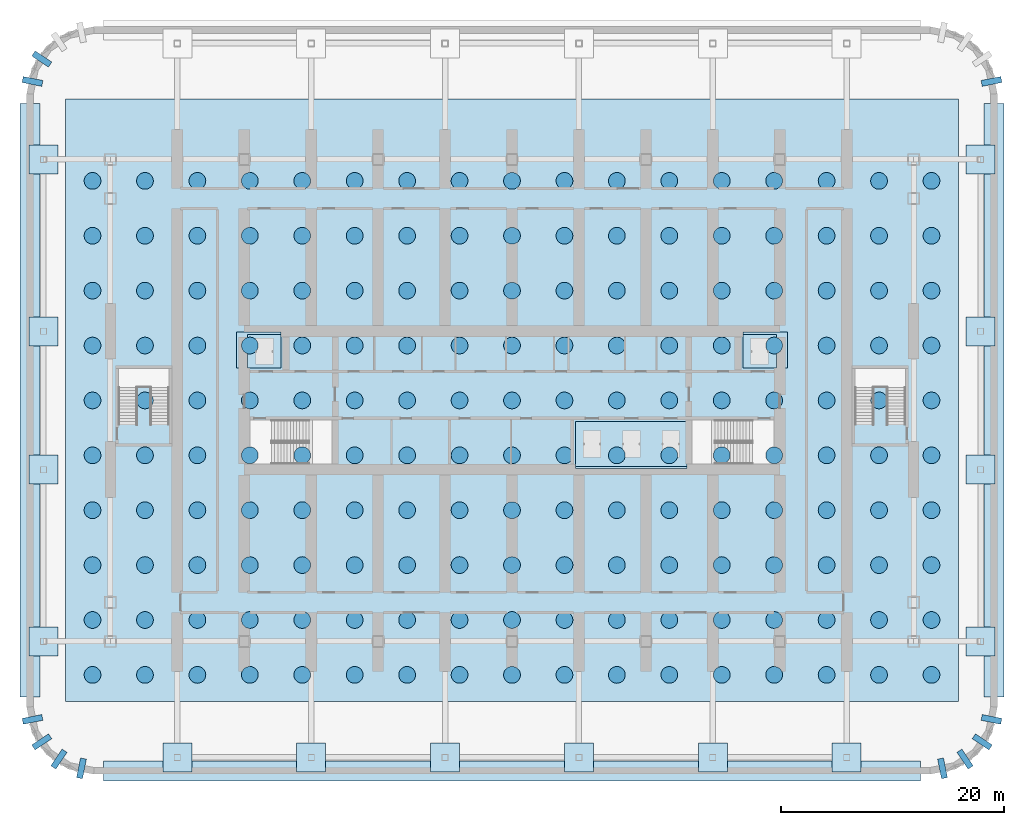
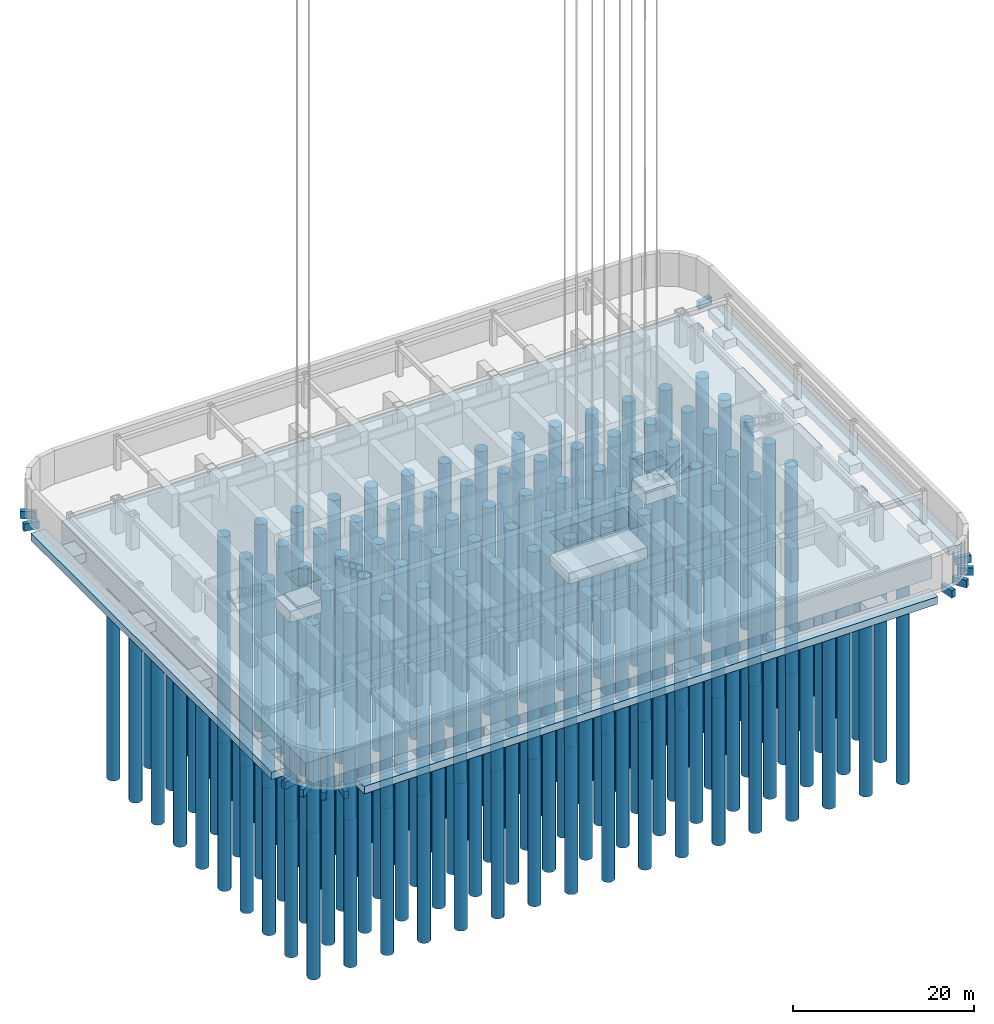
# One storey, part 1 of 28: 170 piles, 35 footings.
"""IFC4 building model written with IfcOpenShell, lengths in metres."""

from ifc_helpers import new_model, si_unit, direction, frame, origin, origin_2d, place, context, subcontext, project, spatial, polyline, rectangle, circle, outline, extrude, material, layer, layer_set, material_profile, profile_set, type_object, element, save


model = new_model("IFC4")

# Units and contexts
model_context = context("Model", 3, precision=1e-05, world=origin(), true_north=direction((0.0, 1.0)))
body_context = subcontext(model_context, "Body", "Model", "MODEL_VIEW")
ifc_project = project(units=[si_unit("LENGTHUNIT", "METRE"), si_unit("AREAUNIT", "SQUARE_METRE"), si_unit("VOLUMEUNIT", "CUBIC_METRE"), si_unit("PLANEANGLEUNIT", "RADIAN"), si_unit("MASSUNIT", "GRAM", prefix="KILO")], contexts=[model_context])

# Site, building, storey
site_placement = place(None, origin())
site = spatial("IfcSite", under=ifc_project, at=site_placement, CompositionType="ELEMENT")
building_placement = place(site_placement, origin())
building = spatial("IfcBuilding", under=site, at=building_placement, Name="Orbita Commons", CompositionType="ELEMENT")
storey_placement = place(building_placement, frame((0.0, 0.0, -9.0)))
storey = spatial("IfcBuildingStorey", under=building, at=storey_placement, Name="L-02", CompositionType="ELEMENT", Elevation=-9.0)

# Piles
ifc_material_1 = material(Name="Concrete C40/50", Category="concrete")
ifc_material_profile = material_profile(ifc_material_1, circle(Radius=0.75, at=origin_2d()), Name="RC D1500")
ifc_profile_set = profile_set([ifc_material_profile], Name="Concrete C40/50")
pile_type = type_object("IfcPileType", Name="Bored pile D1500", PredefinedType="BORED", material=ifc_profile_set)
for number, where, z_axis, x_axis, name in (
    (1, (4.39990234375, 7.39990234375, -3.5), (0.0, 0.0, -1.0), (1.0, 0.0, 0.0), "Pile P0101"),
    (2, (9.10009765625, 7.39990234375, -3.5), (0.0, 0.0, -1.0), (1.0, 0.0, 0.0), "Pile P0102"),
    (3, (13.800048828125, 7.39990234375, -3.5), (0.0, 0.0, -1.0), (1.0, 0.0, 0.0), "Pile P0103"),
    (4, (18.5, 7.39990234375, -3.5), (0.0, 0.0, -1.0), (1.0, 0.0, 0.0), "Pile P0104"),
    (5, (23.199951171875, 7.39990234375, -3.5), (0.0, 0.0, -1.0), (1.0, 0.0, 0.0), "Pile P0105"),
    (6, (27.89990234375, 7.39990234375, -3.5), (0.0, 0.0, -1.0), (1.0, 0.0, 0.0), "Pile P0106"),
    (7, (32.60009765625, 7.39990234375, -3.5), (0.0, 0.0, -1.0), (1.0, 0.0, 0.0), "Pile P0107"),
    (8, (37.300048828125, 7.39990234375, -3.5), (0.0, 0.0, -1.0), (1.0, 0.0, 0.0), "Pile P0108"),
    (9, (42.0, 7.39990234375, -3.5), (0.0, 0.0, -1.0), (1.0, 0.0, 0.0), "Pile P0109"),
    (10, (46.699951171875, 7.39990234375, -3.5), (0.0, 0.0, -1.0), (1.0, 0.0, 0.0), "Pile P0110"),
    (11, (51.39990234375, 7.39990234375, -3.5), (0.0, 0.0, -1.0), (1.0, 0.0, 0.0), "Pile P0111"),
    (12, (56.10009765625, 7.39990234375, -3.5), (0.0, 0.0, -1.0), (1.0, 0.0, 0.0), "Pile P0112"),
    (13, (60.800048828125, 7.39990234375, -3.5), (0.0, 0.0, -1.0), (1.0, 0.0, 0.0), "Pile P0113"),
    (14, (65.5, 7.39990234375, -3.5), (0.0, 0.0, -1.0), (1.0, 0.0, 0.0), "Pile P0114"),
    (15, (70.199951171875, 7.39990234375, -3.5), (0.0, 0.0, -1.0), (1.0, 0.0, 0.0), "Pile P0115"),
    (16, (74.89990234375, 7.39990234375, -3.5), (0.0, 0.0, -1.0), (1.0, 0.0, 0.0), "Pile P0116"),
    (17, (79.60009765625, 7.39990234375, -3.5), (0.0, 0.0, -1.0), (1.0, 0.0, 0.0), "Pile P0117"),
    (18, (4.39990234375, 12.320068359375, -3.5), (0.0, 0.0, -1.0), (1.0, 0.0, 0.0), "Pile P0201"),
    (19, (9.10009765625, 12.320068359375, -3.5), (0.0, 0.0, -1.0), (1.0, 0.0, 0.0), "Pile P0202"),
    (20, (13.800048828125, 12.320068359375, -3.5), (0.0, 0.0, -1.0), (1.0, 0.0, 0.0), "Pile P0203"),
    (21, (18.5, 12.320068359375, -3.5), (0.0, 0.0, -1.0), (1.0, 0.0, 0.0), "Pile P0204"),
    (22, (23.199951171875, 12.320068359375, -3.5), (0.0, 0.0, -1.0), (1.0, 0.0, 0.0), "Pile P0205"),
    (23, (27.89990234375, 12.320068359375, -3.5), (0.0, 0.0, -1.0), (1.0, 0.0, 0.0), "Pile P0206"),
    (24, (32.60009765625, 12.320068359375, -3.5), (0.0, 0.0, -1.0), (1.0, 0.0, 0.0), "Pile P0207"),
    (25, (37.300048828125, 12.320068359375, -3.5), (0.0, 0.0, -1.0), (1.0, 0.0, 0.0), "Pile P0208"),
    (26, (42.0, 12.320068359375, -3.5), (0.0, 0.0, -1.0), (1.0, 0.0, 0.0), "Pile P0209"),
    (27, (46.699951171875, 12.320068359375, -3.5), (0.0, 0.0, -1.0), (1.0, 0.0, 0.0), "Pile P0210"),
    (28, (51.39990234375, 12.320068359375, -3.5), (0.0, 0.0, -1.0), (1.0, 0.0, 0.0), "Pile P0211"),
    (29, (56.10009765625, 12.320068359375, -3.5), (0.0, 0.0, -1.0), (1.0, 0.0, 0.0), "Pile P0212"),
    (30, (60.800048828125, 12.320068359375, -3.5), (0.0, 0.0, -1.0), (1.0, 0.0, 0.0), "Pile P0213"),
    (31, (65.5, 12.320068359375, -3.5), (0.0, 0.0, -1.0), (1.0, 0.0, 0.0), "Pile P0214"),
    (32, (70.199951171875, 12.320068359375, -3.5), (0.0, 0.0, -1.0), (1.0, 0.0, 0.0), "Pile P0215"),
    (33, (74.89990234375, 12.320068359375, -3.5), (0.0, 0.0, -1.0), (1.0, 0.0, 0.0), "Pile P0216"),
    (34, (79.60009765625, 12.320068359375, -3.5), (0.0, 0.0, -1.0), (1.0, 0.0, 0.0), "Pile P0217"),
    (35, (4.39990234375, 17.239990234375, -3.5), (0.0, 0.0, -1.0), (1.0, 0.0, 0.0), "Pile P0301"),
    (36, (9.10009765625, 17.239990234375, -3.5), (0.0, 0.0, -1.0), (1.0, 0.0, 0.0), "Pile P0302"),
    (37, (13.800048828125, 17.239990234375, -3.5), (0.0, 0.0, -1.0), (1.0, 0.0, 0.0), "Pile P0303"),
    (38, (18.5, 17.239990234375, -3.5), (0.0, 0.0, -1.0), (1.0, 0.0, 0.0), "Pile P0304"),
    (39, (23.199951171875, 17.239990234375, -3.5), (0.0, 0.0, -1.0), (1.0, 0.0, 0.0), "Pile P0305"),
    (40, (27.89990234375, 17.239990234375, -3.5), (0.0, 0.0, -1.0), (1.0, 0.0, 0.0), "Pile P0306"),
    (41, (32.60009765625, 17.239990234375, -3.5), (0.0, 0.0, -1.0), (1.0, 0.0, 0.0), "Pile P0307"),
    (42, (37.300048828125, 17.239990234375, -3.5), (0.0, 0.0, -1.0), (1.0, 0.0, 0.0), "Pile P0308"),
    (43, (42.0, 17.239990234375, -3.5), (0.0, 0.0, -1.0), (1.0, 0.0, 0.0), "Pile P0309"),
    (44, (46.699951171875, 17.239990234375, -3.5), (0.0, 0.0, -1.0), (1.0, 0.0, 0.0), "Pile P0310"),
    (45, (51.39990234375, 17.239990234375, -3.5), (0.0, 0.0, -1.0), (1.0, 0.0, 0.0), "Pile P0311"),
    (46, (56.10009765625, 17.239990234375, -3.5), (0.0, 0.0, -1.0), (1.0, 0.0, 0.0), "Pile P0312"),
    (47, (60.800048828125, 17.239990234375, -3.5), (0.0, 0.0, -1.0), (1.0, 0.0, 0.0), "Pile P0313"),
    (48, (65.5, 17.239990234375, -3.5), (0.0, 0.0, -1.0), (1.0, 0.0, 0.0), "Pile P0314"),
    (49, (70.199951171875, 17.239990234375, -3.5), (0.0, 0.0, -1.0), (1.0, 0.0, 0.0), "Pile P0315"),
    (50, (74.89990234375, 17.239990234375, -3.5), (0.0, 0.0, -1.0), (1.0, 0.0, 0.0), "Pile P0316"),
    (51, (79.60009765625, 17.239990234375, -3.5), (0.0, 0.0, -1.0), (1.0, 0.0, 0.0), "Pile P0317"),
    (52, (4.39990234375, 22.159912109375, -3.5), (0.0, 0.0, -1.0), (1.0, 0.0, 0.0), "Pile P0401"),
    (53, (9.10009765625, 22.159912109375, -3.5), (0.0, 0.0, -1.0), (1.0, 0.0, 0.0), "Pile P0402"),
    (54, (13.800048828125, 22.159912109375, -3.5), (0.0, 0.0, -1.0), (1.0, 0.0, 0.0), "Pile P0403"),
    (55, (18.5, 22.159912109375, -3.5), (0.0, 0.0, -1.0), (1.0, 0.0, 0.0), "Pile P0404"),
    (56, (23.199951171875, 22.159912109375, -3.5), (0.0, 0.0, -1.0), (1.0, 0.0, 0.0), "Pile P0405"),
    (57, (27.89990234375, 22.159912109375, -3.5), (0.0, 0.0, -1.0), (1.0, 0.0, 0.0), "Pile P0406"),
    (58, (32.60009765625, 22.159912109375, -3.5), (0.0, 0.0, -1.0), (1.0, 0.0, 0.0), "Pile P0407"),
    (59, (37.300048828125, 22.159912109375, -3.5), (0.0, 0.0, -1.0), (1.0, 0.0, 0.0), "Pile P0408"),
    (60, (42.0, 22.159912109375, -3.5), (0.0, 0.0, -1.0), (1.0, 0.0, 0.0), "Pile P0409"),
    (61, (46.699951171875, 22.159912109375, -3.5), (0.0, 0.0, -1.0), (1.0, 0.0, 0.0), "Pile P0410"),
    (62, (51.39990234375, 22.159912109375, -3.5), (0.0, 0.0, -1.0), (1.0, 0.0, 0.0), "Pile P0411"),
    (63, (56.10009765625, 22.159912109375, -3.5), (0.0, 0.0, -1.0), (1.0, 0.0, 0.0), "Pile P0412"),
    (64, (60.800048828125, 22.159912109375, -3.5), (0.0, 0.0, -1.0), (1.0, 0.0, 0.0), "Pile P0413"),
    (65, (65.5, 22.159912109375, -3.5), (0.0, 0.0, -1.0), (1.0, 0.0, 0.0), "Pile P0414"),
    (66, (70.199951171875, 22.159912109375, -3.5), (0.0, 0.0, -1.0), (1.0, 0.0, 0.0), "Pile P0415"),
    (67, (74.89990234375, 22.159912109375, -3.5), (0.0, 0.0, -1.0), (1.0, 0.0, 0.0), "Pile P0416"),
    (68, (79.60009765625, 22.159912109375, -3.5), (0.0, 0.0, -1.0), (1.0, 0.0, 0.0), "Pile P0417"),
    (69, (4.39990234375, 27.080078125, -3.5), (0.0, 0.0, -1.0), (1.0, 0.0, 0.0), "Pile P0501"),
    (70, (9.10009765625, 27.080078125, -3.5), (0.0, 0.0, -1.0), (1.0, 0.0, 0.0), "Pile P0502"),
    (71, (13.800048828125, 27.080078125, -3.5), (0.0, 0.0, -1.0), (1.0, 0.0, 0.0), "Pile P0503"),
    (72, (18.5, 27.080078125, -3.5), (0.0, 0.0, -1.0), (1.0, 0.0, 0.0), "Pile P0504"),
    (73, (23.199951171875, 27.080078125, -3.5), (0.0, 0.0, -1.0), (1.0, 0.0, 0.0), "Pile P0505"),
    (74, (27.89990234375, 27.080078125, -3.5), (0.0, 0.0, -1.0), (1.0, 0.0, 0.0), "Pile P0506"),
    (75, (32.60009765625, 27.080078125, -3.5), (0.0, 0.0, -1.0), (1.0, 0.0, 0.0), "Pile P0507"),
    (76, (37.300048828125, 27.080078125, -3.5), (0.0, 0.0, -1.0), (1.0, 0.0, 0.0), "Pile P0508"),
    (77, (42.0, 27.080078125, -3.5), (0.0, 0.0, -1.0), (1.0, 0.0, 0.0), "Pile P0509"),
    (78, (46.699951171875, 27.080078125, -3.5), (0.0, 0.0, -1.0), (1.0, 0.0, 0.0), "Pile P0510"),
    (79, (51.39990234375, 27.080078125, -5.0), (0.0, 0.0, -1.0), (1.0, 0.0, 0.0), "Pile P0511"),
    (80, (56.10009765625, 27.080078125, -5.0), (0.0, 0.0, -1.0), (1.0, 0.0, 0.0), "Pile P0512"),
    (81, (60.800048828125, 27.080078125, -3.5), (0.0, 0.0, -1.0), (1.0, 0.0, 0.0), "Pile P0513"),
    (82, (65.5, 27.080078125, -3.5), (0.0, 0.0, -1.0), (1.0, 0.0, 0.0), "Pile P0514"),
    (83, (70.199951171875, 27.080078125, -3.5), (0.0, 0.0, -1.0), (1.0, 0.0, 0.0), "Pile P0515"),
    (84, (74.89990234375, 27.080078125, -3.5), (0.0, 0.0, -1.0), (1.0, 0.0, 0.0), "Pile P0516"),
    (85, (79.60009765625, 27.080078125, -3.5), (0.0, 0.0, -1.0), (1.0, 0.0, 0.0), "Pile P0517"),
    (86, (4.39990234375, 32.0, -3.5), (0.0, 0.0, -1.0), (1.0, 0.0, 0.0), "Pile P0601"),
    (87, (9.10009765625, 32.0, -3.5), (0.0, 0.0, -1.0), (1.0, 0.0, 0.0), "Pile P0602"),
    (88, (13.800048828125, 32.0, -3.5), (0.0, 0.0, -1.0), (1.0, 0.0, 0.0), "Pile P0603"),
    (89, (18.5, 32.0, -3.5), (0.0, 0.0, -1.0), (1.0, 0.0, 0.0), "Pile P0604"),
    (90, (23.199951171875, 32.0, -3.5), (0.0, 0.0, -1.0), (1.0, 0.0, 0.0), "Pile P0605"),
    (91, (27.89990234375, 32.0, -3.5), (0.0, 0.0, -1.0), (1.0, 0.0, 0.0), "Pile P0606"),
    (92, (32.60009765625, 32.0, -3.5), (0.0, 0.0, -1.0), (1.0, 0.0, 0.0), "Pile P0607"),
    (93, (37.300048828125, 32.0, -3.5), (0.0, 0.0, -1.0), (1.0, 0.0, 0.0), "Pile P0608"),
    (94, (42.0, 32.0, -3.5), (0.0, 0.0, -1.0), (1.0, 0.0, 0.0), "Pile P0609"),
    (95, (46.699951171875, 32.0, -3.5), (0.0, 0.0, -1.0), (1.0, 0.0, 0.0), "Pile P0610"),
    (96, (51.39990234375, 32.0, -3.5), (0.0, 0.0, -1.0), (1.0, 0.0, 0.0), "Pile P0611"),
    (97, (56.10009765625, 32.0, -3.5), (0.0, 0.0, -1.0), (1.0, 0.0, 0.0), "Pile P0612"),
    (98, (60.800048828125, 32.0, -3.5), (0.0, 0.0, -1.0), (1.0, 0.0, 0.0), "Pile P0613"),
    (99, (65.5, 32.0, -3.5), (0.0, 0.0, -1.0), (1.0, 0.0, 0.0), "Pile P0614"),
    (100, (70.199951171875, 32.0, -3.5), (0.0, 0.0, -1.0), (1.0, 0.0, 0.0), "Pile P0615"),
    (101, (74.89990234375, 32.0, -3.5), (0.0, 0.0, -1.0), (1.0, 0.0, 0.0), "Pile P0616"),
    (102, (79.60009765625, 32.0, -3.5), (0.0, 0.0, -1.0), (1.0, 0.0, 0.0), "Pile P0617"),
    (103, (4.39990234375, 36.919921875, -3.5), (0.0, 0.0, -1.0), (1.0, 0.0, 0.0), "Pile P0701"),
    (104, (9.10009765625, 36.919921875, -3.5), (0.0, 0.0, -1.0), (1.0, 0.0, 0.0), "Pile P0702"),
    (105, (13.800048828125, 36.919921875, -3.5), (0.0, 0.0, -1.0), (1.0, 0.0, 0.0), "Pile P0703"),
    (106, (18.5, 36.919921875, -5.0), (0.0, 0.0, -1.0), (1.0, 0.0, 0.0), "Pile P0704"),
    (107, (23.199951171875, 36.919921875, -3.5), (0.0, 0.0, -1.0), (1.0, 0.0, 0.0), "Pile P0705"),
    (108, (27.89990234375, 36.919921875, -3.5), (0.0, 0.0, -1.0), (1.0, 0.0, 0.0), "Pile P0706"),
    (109, (32.60009765625, 36.919921875, -3.5), (0.0, 0.0, -1.0), (1.0, 0.0, 0.0), "Pile P0707"),
    (110, (37.300048828125, 36.919921875, -3.5), (0.0, 0.0, -1.0), (1.0, 0.0, 0.0), "Pile P0708"),
    (111, (42.0, 36.919921875, -3.5), (0.0, 0.0, -1.0), (1.0, 0.0, 0.0), "Pile P0709"),
    (112, (46.699951171875, 36.919921875, -3.5), (0.0, 0.0, -1.0), (1.0, 0.0, 0.0), "Pile P0710"),
    (113, (51.39990234375, 36.919921875, -3.5), (0.0, 0.0, -1.0), (1.0, 0.0, 0.0), "Pile P0711"),
    (114, (56.10009765625, 36.919921875, -3.5), (0.0, 0.0, -1.0), (1.0, 0.0, 0.0), "Pile P0712"),
    (115, (60.800048828125, 36.919921875, -3.5), (0.0, 0.0, -1.0), (1.0, 0.0, 0.0), "Pile P0713"),
    (116, (65.5, 36.919921875, -5.0), (0.0, 0.0, -1.0), (1.0, 0.0, 0.0), "Pile P0714"),
    (117, (70.199951171875, 36.919921875, -3.5), (0.0, 0.0, -1.0), (1.0, 0.0, 0.0), "Pile P0715"),
    (118, (74.89990234375, 36.919921875, -3.5), (0.0, 0.0, -1.0), (1.0, 0.0, 0.0), "Pile P0716"),
    (119, (79.60009765625, 36.919921875, -3.5), (0.0, 0.0, -1.0), (1.0, 0.0, 0.0), "Pile P0717"),
    (120, (4.39990234375, 41.840087890625, -3.5), (0.0, 0.0, -1.0), (1.0, 0.0, 0.0), "Pile P0801"),
    (121, (9.10009765625, 41.840087890625, -3.5), (0.0, 0.0, -1.0), (1.0, 0.0, 0.0), "Pile P0802"),
    (122, (13.800048828125, 41.840087890625, -3.5), (0.0, 0.0, -1.0), (1.0, 0.0, 0.0), "Pile P0803"),
    (123, (18.5, 41.840087890625, -3.5), (0.0, 0.0, -1.0), (1.0, 0.0, 0.0), "Pile P0804"),
    (124, (23.199951171875, 41.840087890625, -3.5), (0.0, 0.0, -1.0), (1.0, 0.0, 0.0), "Pile P0805"),
    (125, (27.89990234375, 41.840087890625, -3.5), (0.0, 0.0, -1.0), (1.0, 0.0, 0.0), "Pile P0806"),
    (126, (32.60009765625, 41.840087890625, -3.5), (0.0, 0.0, -1.0), (1.0, 0.0, 0.0), "Pile P0807"),
    (127, (37.300048828125, 41.840087890625, -3.5), (0.0, 0.0, -1.0), (1.0, 0.0, 0.0), "Pile P0808"),
    (128, (42.0, 41.840087890625, -3.5), (0.0, 0.0, -1.0), (1.0, 0.0, 0.0), "Pile P0809"),
    (129, (46.699951171875, 41.840087890625, -3.5), (0.0, 0.0, -1.0), (1.0, 0.0, 0.0), "Pile P0810"),
    (130, (51.39990234375, 41.840087890625, -3.5), (0.0, 0.0, -1.0), (1.0, 0.0, 0.0), "Pile P0811"),
    (131, (56.10009765625, 41.840087890625, -3.5), (0.0, 0.0, -1.0), (1.0, 0.0, 0.0), "Pile P0812"),
    (132, (60.800048828125, 41.840087890625, -3.5), (0.0, 0.0, -1.0), (1.0, 0.0, 0.0), "Pile P0813"),
    (133, (65.5, 41.840087890625, -3.5), (0.0, 0.0, -1.0), (1.0, 0.0, 0.0), "Pile P0814"),
    (134, (70.199951171875, 41.840087890625, -3.5), (0.0, 0.0, -1.0), (1.0, 0.0, 0.0), "Pile P0815"),
    (135, (74.89990234375, 41.840087890625, -3.5), (0.0, 0.0, -1.0), (1.0, 0.0, 0.0), "Pile P0816"),
    (136, (79.60009765625, 41.840087890625, -3.5), (0.0, 0.0, -1.0), (1.0, 0.0, 0.0), "Pile P0817"),
    (137, (4.39990234375, 46.760009765625, -3.5), (0.0, 0.0, -1.0), (1.0, 0.0, 0.0), "Pile P0901"),
    (138, (9.10009765625, 46.760009765625, -3.5), (0.0, 0.0, -1.0), (1.0, 0.0, 0.0), "Pile P0902"),
    (139, (13.800048828125, 46.760009765625, -3.5), (0.0, 0.0, -1.0), (1.0, 0.0, 0.0), "Pile P0903"),
    (140, (18.5, 46.760009765625, -3.5), (0.0, 0.0, -1.0), (1.0, 0.0, 0.0), "Pile P0904"),
    (141, (23.199951171875, 46.760009765625, -3.5), (0.0, 0.0, -1.0), (1.0, 0.0, 0.0), "Pile P0905"),
    (142, (27.89990234375, 46.760009765625, -3.5), (0.0, 0.0, -1.0), (1.0, 0.0, 0.0), "Pile P0906"),
    (143, (32.60009765625, 46.760009765625, -3.5), (0.0, 0.0, -1.0), (1.0, 0.0, 0.0), "Pile P0907"),
    (144, (37.300048828125, 46.760009765625, -3.5), (0.0, 0.0, -1.0), (1.0, 0.0, 0.0), "Pile P0908"),
    (145, (42.0, 46.760009765625, -3.5), (0.0, 0.0, -1.0), (1.0, 0.0, 0.0), "Pile P0909"),
    (146, (46.699951171875, 46.760009765625, -3.5), (0.0, 0.0, -1.0), (1.0, 0.0, 0.0), "Pile P0910"),
    (147, (51.39990234375, 46.760009765625, -3.5), (0.0, 0.0, -1.0), (1.0, 0.0, 0.0), "Pile P0911"),
    (148, (56.10009765625, 46.760009765625, -3.5), (0.0, 0.0, -1.0), (1.0, 0.0, 0.0), "Pile P0912"),
    (149, (60.800048828125, 46.760009765625, -3.5), (0.0, 0.0, -1.0), (1.0, 0.0, 0.0), "Pile P0913"),
    (150, (65.5, 46.760009765625, -3.5), (0.0, 0.0, -1.0), (1.0, 0.0, 0.0), "Pile P0914"),
    (151, (70.199951171875, 46.760009765625, -3.5), (0.0, 0.0, -1.0), (1.0, 0.0, 0.0), "Pile P0915"),
    (152, (74.89990234375, 46.760009765625, -3.5), (0.0, 0.0, -1.0), (1.0, 0.0, 0.0), "Pile P0916"),
    (153, (79.60009765625, 46.760009765625, -3.5), (0.0, 0.0, -1.0), (1.0, 0.0, 0.0), "Pile P0917"),
    (154, (4.39990234375, 51.679931640625, -3.5), (0.0, 0.0, -1.0), (1.0, 0.0, 0.0), "Pile P1001"),
    (155, (9.10009765625, 51.679931640625, -3.5), (0.0, 0.0, -1.0), (1.0, 0.0, 0.0), "Pile P1002"),
    (156, (13.800048828125, 51.679931640625, -3.5), (0.0, 0.0, -1.0), (1.0, 0.0, 0.0), "Pile P1003"),
    (157, (18.5, 51.679931640625, -3.5), (0.0, 0.0, -1.0), (1.0, 0.0, 0.0), "Pile P1004"),
    (158, (23.199951171875, 51.679931640625, -3.5), (0.0, 0.0, -1.0), (1.0, 0.0, 0.0), "Pile P1005"),
    (159, (27.89990234375, 51.679931640625, -3.5), (0.0, 0.0, -1.0), (1.0, 0.0, 0.0), "Pile P1006"),
    (160, (32.60009765625, 51.679931640625, -3.5), (0.0, 0.0, -1.0), (1.0, 0.0, 0.0), "Pile P1007"),
    (161, (37.300048828125, 51.679931640625, -3.5), (0.0, 0.0, -1.0), (1.0, 0.0, 0.0), "Pile P1008"),
    (162, (42.0, 51.679931640625, -3.5), (0.0, 0.0, -1.0), (1.0, 0.0, 0.0), "Pile P1009"),
    (163, (46.699951171875, 51.679931640625, -3.5), (0.0, 0.0, -1.0), (1.0, 0.0, 0.0), "Pile P1010"),
    (164, (51.39990234375, 51.679931640625, -3.5), (0.0, 0.0, -1.0), (1.0, 0.0, 0.0), "Pile P1011"),
    (165, (56.10009765625, 51.679931640625, -3.5), (0.0, 0.0, -1.0), (1.0, 0.0, 0.0), "Pile P1012"),
    (166, (60.800048828125, 51.679931640625, -3.5), (0.0, 0.0, -1.0), (1.0, 0.0, 0.0), "Pile P1013"),
    (167, (65.5, 51.679931640625, -3.5), (0.0, 0.0, -1.0), (1.0, 0.0, 0.0), "Pile P1014"),
    (168, (70.199951171875, 51.679931640625, -3.5), (0.0, 0.0, -1.0), (1.0, 0.0, 0.0), "Pile P1015"),
    (169, (74.89990234375, 51.679931640625, -3.5), (0.0, 0.0, -1.0), (1.0, 0.0, 0.0), "Pile P1016"),
    (170, (79.60009765625, 51.679931640625, -3.5), (0.0, 0.0, -1.0), (1.0, 0.0, 0.0), "Pile P1017"),
):
    element("IfcPile", number, at=place(storey_placement, frame(where, z_axis=z_axis, x_axis=x_axis)), inside=storey, type_object=pile_type, Name=name, PredefinedType="BORED", context=body_context, shape_type="SweptSolid", body=[
        extrude(circle(Radius=0.75, at=origin_2d()), origin(), (0.0, 0.0, 1.0), 28.0),
    ])

# Footings
ifc_material_2 = material(Name="Concrete C40/50", Category="concrete")
ifc_layer_1 = layer(ifc_material_2, 0.300048828125)
ifc_layer_set_1 = layer_set([ifc_layer_1], Name="Concrete C40/50")
footing_type_1 = type_object("IfcFootingType", Name="Lift pit base 300", PredefinedType="PILE_CAP", material=ifc_layer_set_1)
footing_1_placement = place(storey_placement, frame((0.0, 0.0, -3.5)))
element("IfcFooting", 171, at=footing_1_placement, inside=storey, type_object=footing_type_1, Name="Lift pit base SV", PredefinedType="PILE_CAP", context=body_context, shape_type="SweptSolid", body=[
    extrude(outline(polyline([(47.699951171875, 26.10009765625), (57.699951171875, 26.10009765625), (57.699951171875, 30.10009765625), (47.699951171875, 30.10009765625), (47.699951171875, 26.10009765625)])), origin(), (0.0, 0.0, 1.0), 0.300048828125),
])
footing_2_placement = place(storey_placement, frame((0.0, 0.0, -3.5)))
element("IfcFooting", 172, at=footing_2_placement, inside=storey, type_object=footing_type_1, Name="Lift pit base FL1", PredefinedType="PILE_CAP", context=body_context, shape_type="SweptSolid", body=[
    extrude(outline(polyline([(18.300048828125, 34.89990234375), (21.300048828125, 34.89990234375), (21.300048828125, 37.89990234375), (18.300048828125, 37.89990234375), (18.300048828125, 34.89990234375)])), origin(), (0.0, 0.0, 1.0), 0.300048828125),
])
footing_3_placement = place(storey_placement, frame((0.0, 0.0, -3.5)))
element("IfcFooting", 173, at=footing_3_placement, inside=storey, type_object=footing_type_1, Name="Lift pit base FL2", PredefinedType="PILE_CAP", context=body_context, shape_type="SweptSolid", body=[
    extrude(outline(polyline([(62.699951171875, 34.89990234375), (65.699951171875, 34.89990234375), (65.699951171875, 37.89990234375), (62.699951171875, 37.89990234375), (62.699951171875, 34.89990234375)])), origin(), (0.0, 0.0, 1.0), 0.300048828125),
])
ifc_material_3 = material(Name="Concrete C40/50", Category="concrete")
footing_type_2 = type_object("IfcFootingType", Name="Pad footing 2600x2600x1200", PredefinedType="PAD_FOOTING", material=ifc_material_3)
for number, where, z_axis, x_axis, name in (
    (174, (12.0, 0.0, -1.7001953125), (0.0, 0.0, 1.0), (1.0, 0.0, 0.0), "Pad footing 2-3A"),
    (175, (24.0, 0.0, -1.7001953125), (0.0, 0.0, 1.0), (1.0, 0.0, 0.0), "Pad footing 2-5A"),
    (176, (36.0, 0.0, -1.7001953125), (0.0, 0.0, 1.0), (1.0, 0.0, 0.0), "Pad footing 2-7A"),
    (177, (48.0, 0.0, -1.7001953125), (0.0, 0.0, 1.0), (1.0, 0.0, 0.0), "Pad footing 2-9A"),
    (178, (60.0, 0.0, -1.7001953125), (0.0, 0.0, 1.0), (1.0, 0.0, 0.0), "Pad footing 2-11A"),
    (179, (72.0, 0.0, -1.7001953125), (0.0, 0.0, 1.0), (1.0, 0.0, 0.0), "Pad footing 2-13A"),
    (180, (0.0, 10.39990234375, -1.7001953125), (0.0, 0.0, 1.0), (1.0, 0.0, 0.0), "Pad footing 2-1B"),
    (181, (0.0, 25.800048828125, -1.7001953125), (0.0, 0.0, 1.0), (1.0, 0.0, 0.0), "Pad footing 2-1C"),
    (182, (0.0, 38.199951171875, -1.7001953125), (0.0, 0.0, 1.0), (1.0, 0.0, 0.0), "Pad footing 2-1D"),
    (183, (0.0, 53.60009765625, -1.7001953125), (0.0, 0.0, 1.0), (1.0, 0.0, 0.0), "Pad footing 2-1E"),
    (184, (84.0, 10.39990234375, -1.7001953125), (0.0, 0.0, 1.0), (1.0, 0.0, 0.0), "Pad footing 2-15B"),
    (185, (84.0, 25.800048828125, -1.7001953125), (0.0, 0.0, 1.0), (1.0, 0.0, 0.0), "Pad footing 2-15C"),
    (186, (84.0, 38.199951171875, -1.7001953125), (0.0, 0.0, 1.0), (1.0, 0.0, 0.0), "Pad footing 2-15D"),
    (187, (84.0, 53.60009765625, -1.7001953125), (0.0, 0.0, 1.0), (1.0, 0.0, 0.0), "Pad footing 2-15E"),
):
    element("IfcFooting", number, at=place(storey_placement, frame(where, z_axis=z_axis, x_axis=x_axis)), inside=storey, type_object=footing_type_2, Name=name, PredefinedType="PAD_FOOTING", context=body_context, shape_type="SweptSolid", body=[
        extrude(rectangle(XDim=2.60009765625, YDim=2.60009765625, at=origin_2d()), origin(), (0.0, 0.0, 1.0), 1.199951171875),
    ])
ifc_material_4 = material(Name="Concrete C40/50", Category="concrete")
ifc_layer_2 = layer(ifc_material_4, 3.0)
ifc_layer_set_2 = layer_set([ifc_layer_2], Name="Concrete C40/50")
footing_type_3 = type_object("IfcFootingType", Name="Piled raft 3000", PredefinedType="PILE_CAP", material=ifc_layer_set_2)
footing_4_placement = place(storey_placement, frame((0.0, 0.0, -3.5)))
element("IfcFooting", 188, at=footing_4_placement, inside=storey, type_object=footing_type_3, Name="Tower piled raft", PredefinedType="PILE_CAP", context=body_context, shape_type="SweptSolid", body=[
    extrude(outline(polyline([(2.0, 5.0), (82.0, 5.0), (82.0, 59.0), (2.0, 59.0), (2.0, 5.0)]), holes=[polyline([(47.699951171875, 26.10009765625), (57.699951171875, 26.10009765625), (57.699951171875, 30.10009765625), (47.699951171875, 30.10009765625), (47.699951171875, 26.10009765625)]), polyline([(18.300048828125, 34.89990234375), (21.300048828125, 34.89990234375), (21.300048828125, 37.89990234375), (18.300048828125, 37.89990234375), (18.300048828125, 34.89990234375)]), polyline([(62.699951171875, 34.89990234375), (65.699951171875, 34.89990234375), (65.699951171875, 37.89990234375), (62.699951171875, 37.89990234375), (62.699951171875, 34.89990234375)])]), origin(), (0.0, 0.0, 1.0), 3.0),
])
ifc_material_5 = material(Name="Concrete C40/50", Category="concrete")
ifc_layer_3 = layer(ifc_material_5, 1.5)
ifc_layer_set_3 = layer_set([ifc_layer_3], Name="Concrete C40/50")
footing_type_4 = type_object("IfcFootingType", Name="Raft thickening under lift pit 1500", PredefinedType="PILE_CAP", material=ifc_layer_set_3)
footing_5_placement = place(storey_placement, frame((0.0, 0.0, -5.0)))
element("IfcFooting", 189, at=footing_5_placement, inside=storey, type_object=footing_type_4, Name="Raft thickening under lift pit SV", PredefinedType="PILE_CAP", context=body_context, shape_type="SweptSolid", body=[
    extrude(outline(polyline([(47.699951171875, 25.8798828125), (57.699951171875, 25.8798828125), (57.699951171875, 30.10009765625), (47.699951171875, 30.10009765625), (47.699951171875, 25.8798828125)])), origin(), (0.0, 0.0, 1.0), 1.5),
])
footing_6_placement = place(storey_placement, frame((0.0, 0.0, -5.0)))
element("IfcFooting", 190, at=footing_6_placement, inside=storey, type_object=footing_type_4, Name="Raft thickening under lift pit FL1", PredefinedType="PILE_CAP", context=body_context, shape_type="SweptSolid", body=[
    extrude(outline(polyline([(17.300048828125, 34.89990234375), (21.300048828125, 34.89990234375), (21.300048828125, 38.1201171875), (17.300048828125, 38.1201171875), (17.300048828125, 34.89990234375)])), origin(), (0.0, 0.0, 1.0), 1.5),
])
footing_7_placement = place(storey_placement, frame((0.0, 0.0, -5.0)))
element("IfcFooting", 191, at=footing_7_placement, inside=storey, type_object=footing_type_4, Name="Raft thickening under lift pit FL2", PredefinedType="PILE_CAP", context=body_context, shape_type="SweptSolid", body=[
    extrude(outline(polyline([(62.699951171875, 34.89990234375), (66.699951171875, 34.89990234375), (66.699951171875, 38.1201171875), (62.699951171875, 38.1201171875), (62.699951171875, 34.89990234375)])), origin(), (0.0, 0.0, 1.0), 1.5),
])
ifc_material_6 = material(Name="Concrete C40/50", Category="concrete")
footing_type_5 = type_object("IfcFootingType", Name="Strip footing 1800x1000", PredefinedType="STRIP_FOOTING", material=ifc_material_6)
footing_8_placement = place(storey_placement, frame((0.0, 0.0, -1.5)))
element("IfcFooting", 192, at=footing_8_placement, inside=storey, type_object=footing_type_5, Name="Strip footing 1", PredefinedType="STRIP_FOOTING", context=body_context, shape_type="SweptSolid", body=[
    extrude(outline(polyline([(80.499755859375, -1.912841796875), (81.030517578125, -1.807373046875), (80.67919921875, -0.0419921875), (80.148681640625, -0.1474609375), (80.499755859375, -1.912841796875)])), origin(), (0.0, 0.0, 1.0), 1.0),
])
footing_9_placement = place(storey_placement, frame((0.0, 0.0, -1.5)))
element("IfcFooting", 193, at=footing_9_placement, inside=storey, type_object=footing_type_5, Name="Strip footing 2", PredefinedType="STRIP_FOOTING", context=body_context, shape_type="SweptSolid", body=[
    extrude(outline(polyline([(82.877685546875, -1.042236328125), (83.32763671875, -0.741455078125), (82.32763671875, 0.755126953125), (81.877685546875, 0.45458984375), (82.877685546875, -1.042236328125)])), origin(), (0.0, 0.0, 1.0), 1.0),
])
footing_10_placement = place(storey_placement, frame((0.0, 0.0, -1.5)))
element("IfcFooting", 194, at=footing_10_placement, inside=storey, type_object=footing_type_5, Name="Strip footing 3", PredefinedType="STRIP_FOOTING", context=body_context, shape_type="SweptSolid", body=[
    extrude(outline(polyline([(84.741455078125, 0.67236328125), (85.042236328125, 1.122314453125), (83.54541015625, 2.122314453125), (83.244873046875, 1.67236328125), (84.741455078125, 0.67236328125)])), origin(), (0.0, 0.0, 1.0), 1.0),
])
footing_11_placement = place(storey_placement, frame((0.0, 0.0, -1.5)))
element("IfcFooting", 195, at=footing_11_placement, inside=storey, type_object=footing_type_5, Name="Strip footing 4", PredefinedType="STRIP_FOOTING", context=body_context, shape_type="SweptSolid", body=[
    extrude(outline(polyline([(85.807373046875, 2.969482421875), (85.912841796875, 3.500244140625), (84.1474609375, 3.851318359375), (84.0419921875, 3.32080078125), (85.807373046875, 2.969482421875)])), origin(), (0.0, 0.0, 1.0), 1.0),
])
footing_12_placement = place(storey_placement, frame((0.0, 0.0, -1.5)))
element("IfcFooting", 196, at=footing_12_placement, inside=storey, type_object=footing_type_5, Name="Strip footing 5", PredefinedType="STRIP_FOOTING", context=body_context, shape_type="SweptSolid", body=[
    extrude(outline(polyline([(86.10009765625, 5.39990234375), (86.10009765625, 58.60009765625), (84.300048828125, 58.60009765625), (84.300048828125, 5.39990234375), (86.10009765625, 5.39990234375)])), origin(), (0.0, 0.0, 1.0), 1.0),
])
footing_13_placement = place(storey_placement, frame((0.0, 0.0, -1.5)))
element("IfcFooting", 197, at=footing_13_placement, inside=storey, type_object=footing_type_5, Name="Strip footing 6", PredefinedType="STRIP_FOOTING", context=body_context, shape_type="SweptSolid", body=[
    extrude(outline(polyline([(85.912841796875, 60.499755859375), (85.807373046875, 61.030517578125), (84.0419921875, 60.67919921875), (84.1474609375, 60.148681640625), (85.912841796875, 60.499755859375)])), origin(), (0.0, 0.0, 1.0), 1.0),
])
footing_14_placement = place(storey_placement, frame((0.0, 0.0, -1.5)))
element("IfcFooting", 198, at=footing_14_placement, inside=storey, type_object=footing_type_5, Name="Strip footing 13", PredefinedType="STRIP_FOOTING", context=body_context, shape_type="SweptSolid", body=[
    extrude(outline(polyline([(-0.741455078125, 63.32763671875), (-1.042236328125, 62.877685546875), (0.45458984375, 61.877685546875), (0.755126953125, 62.32763671875), (-0.741455078125, 63.32763671875)])), origin(), (0.0, 0.0, 1.0), 1.0),
])
footing_15_placement = place(storey_placement, frame((0.0, 0.0, -1.5)))
element("IfcFooting", 199, at=footing_15_placement, inside=storey, type_object=footing_type_5, Name="Strip footing 14", PredefinedType="STRIP_FOOTING", context=body_context, shape_type="SweptSolid", body=[
    extrude(outline(polyline([(-1.807373046875, 61.030517578125), (-1.912841796875, 60.499755859375), (-0.1474609375, 60.148681640625), (-0.0419921875, 60.67919921875), (-1.807373046875, 61.030517578125)])), origin(), (0.0, 0.0, 1.0), 1.0),
])
footing_16_placement = place(storey_placement, frame((0.0, 0.0, -1.5)))
element("IfcFooting", 200, at=footing_16_placement, inside=storey, type_object=footing_type_5, Name="Strip footing 15", PredefinedType="STRIP_FOOTING", context=body_context, shape_type="SweptSolid", body=[
    extrude(outline(polyline([(-2.10009765625, 58.60009765625), (-2.10009765625, 5.39990234375), (-0.300048828125, 5.39990234375), (-0.300048828125, 58.60009765625), (-2.10009765625, 58.60009765625)])), origin(), (0.0, 0.0, 1.0), 1.0),
])
footing_17_placement = place(storey_placement, frame((0.0, 0.0, -1.5)))
element("IfcFooting", 201, at=footing_17_placement, inside=storey, type_object=footing_type_5, Name="Strip footing 16", PredefinedType="STRIP_FOOTING", context=body_context, shape_type="SweptSolid", body=[
    extrude(outline(polyline([(-1.912841796875, 3.500244140625), (-1.807373046875, 2.969482421875), (-0.0419921875, 3.32080078125), (-0.1474609375, 3.851318359375), (-1.912841796875, 3.500244140625)])), origin(), (0.0, 0.0, 1.0), 1.0),
])
footing_18_placement = place(storey_placement, frame((0.0, 0.0, -1.5)))
element("IfcFooting", 202, at=footing_18_placement, inside=storey, type_object=footing_type_5, Name="Strip footing 17", PredefinedType="STRIP_FOOTING", context=body_context, shape_type="SweptSolid", body=[
    extrude(outline(polyline([(-1.042236328125, 1.122314453125), (-0.741455078125, 0.67236328125), (0.755126953125, 1.67236328125), (0.45458984375, 2.122314453125), (-1.042236328125, 1.122314453125)])), origin(), (0.0, 0.0, 1.0), 1.0),
])
footing_19_placement = place(storey_placement, frame((0.0, 0.0, -1.5)))
element("IfcFooting", 203, at=footing_19_placement, inside=storey, type_object=footing_type_5, Name="Strip footing 18", PredefinedType="STRIP_FOOTING", context=body_context, shape_type="SweptSolid", body=[
    extrude(outline(polyline([(0.67236328125, -0.741455078125), (1.122314453125, -1.042236328125), (2.122314453125, 0.45458984375), (1.67236328125, 0.755126953125), (0.67236328125, -0.741455078125)])), origin(), (0.0, 0.0, 1.0), 1.0),
])
footing_20_placement = place(storey_placement, frame((0.0, 0.0, -1.5)))
element("IfcFooting", 204, at=footing_20_placement, inside=storey, type_object=footing_type_5, Name="Strip footing 19", PredefinedType="STRIP_FOOTING", context=body_context, shape_type="SweptSolid", body=[
    extrude(outline(polyline([(2.969482421875, -1.807373046875), (3.500244140625, -1.912841796875), (3.851318359375, -0.1474609375), (3.32080078125, -0.0419921875), (2.969482421875, -1.807373046875)])), origin(), (0.0, 0.0, 1.0), 1.0),
])
footing_21_placement = place(storey_placement, frame((0.0, 0.0, -1.5)))
element("IfcFooting", 205, at=footing_21_placement, inside=storey, type_object=footing_type_5, Name="Strip footing 20", PredefinedType="STRIP_FOOTING", context=body_context, shape_type="SweptSolid", body=[
    extrude(outline(polyline([(5.39990234375, -2.10009765625), (78.60009765625, -2.10009765625), (78.60009765625, -0.300048828125), (5.39990234375, -0.300048828125), (5.39990234375, -2.10009765625)])), origin(), (0.0, 0.0, 1.0), 1.0),
])

save(model, "model.ifc")
